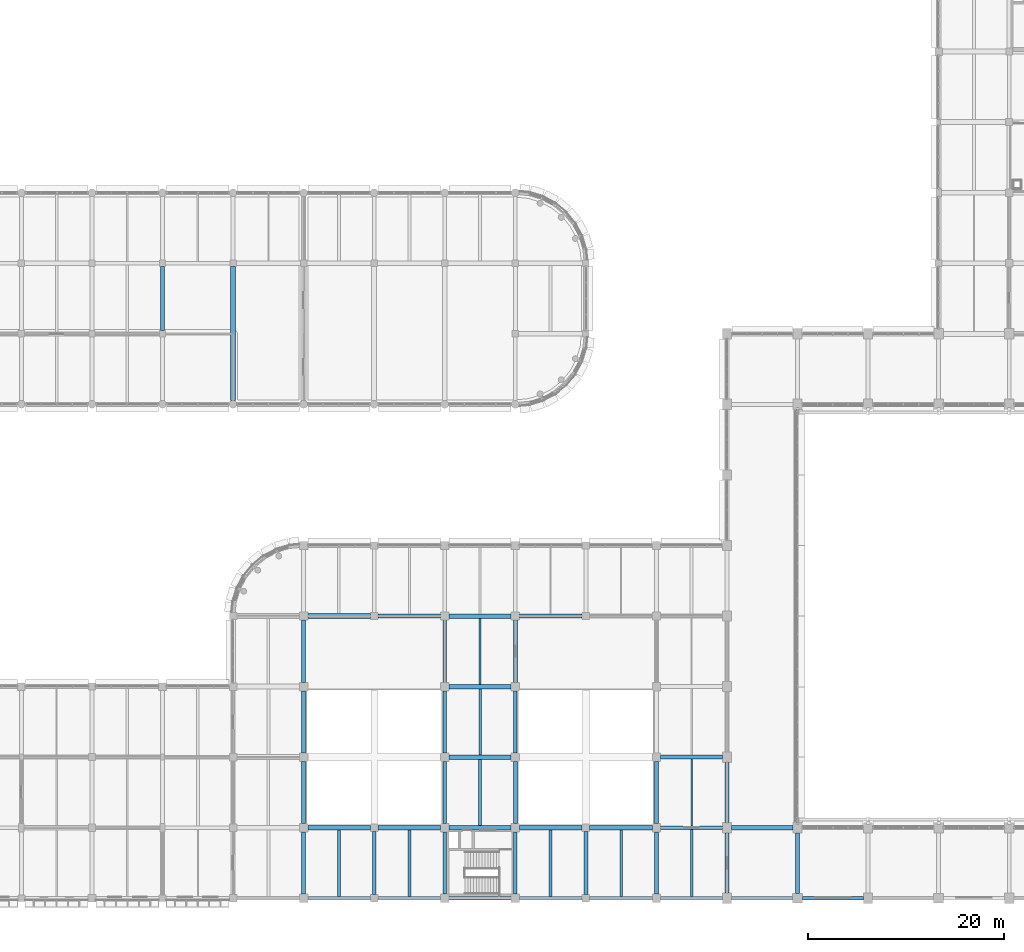
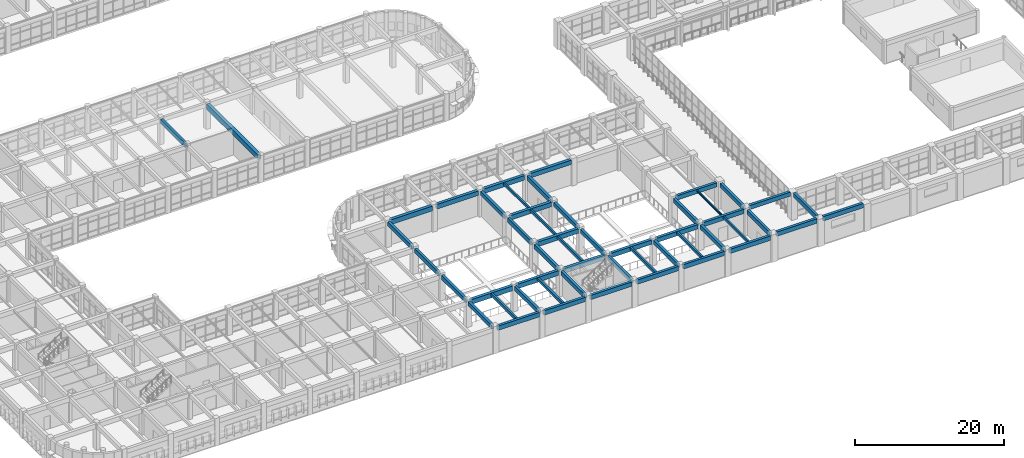
# One storey, part 30 of 171: 52 beams.
"""IFC4 building model written with IfcOpenShell, lengths in metres."""

import ifcopenshell
import ifcopenshell.guid

model = None  # the IFC model being written
_history = None  # IfcOwnerHistory: only IFC2X3 demands one
_inside = {}  # id of a spatial element -> (the spatial element, [elements in it])
_under = {}  # id of a project, library or spatial element -> (it, [spatial elements below it])
_declared = {}  # id of a project -> (the project, [libraries it declares])
_typed = {}  # id of a type object -> (the type object, [elements of that type])
_made_of = {}  # id of a material, layer set ... -> (it, [elements and type objects made of it])


def new_model(schema):
    """Start an empty IFC model of exactly this schema.

    Asked for "IFC4X3", IfcOpenShell would pick the latest addendum, in which some entities
    have other attributes; the version numbers below select the first issue.
    IFC2X3 requires an IfcOwnerHistory on every rooted entity: one is made here for all.
    """
    global model, _history
    if schema == "IFC4X3":
        model = ifcopenshell.file(schema_version=(4, 3, 0, 0))
    else:
        model = ifcopenshell.file(schema=schema)
    _inside.clear()
    _under.clear()
    _declared.clear()
    _typed.clear()
    _made_of.clear()
    _history = None
    if model.schema == "IFC2X3":
        org = make("IfcOrganization", Name="unknown")
        user = make(
            "IfcPersonAndOrganization",
            ThePerson=make("IfcPerson", FamilyName="unknown"),
            TheOrganization=org,
        )
        app = make(
            "IfcApplication",
            ApplicationDeveloper=org,
            Version="unknown",
            ApplicationFullName="unknown",
            ApplicationIdentifier="unknown",
        )
        _history = make(
            "IfcOwnerHistory",
            OwningUser=user,
            OwningApplication=app,
            ChangeAction="ADDED",
            CreationDate=0,
        )
    return model


def make(cls, **values):
    """One entity of the class cls with the attributes given. An attribute that is None is left unset."""
    return model.create_entity(
        cls, **{name: value for name, value in values.items() if value is not None}
    )


def rooted(cls, **values):
    """An entity with a GlobalId (a new one), such as an element, a storey or a relation."""
    return make(cls, GlobalId=ifcopenshell.guid.new(), OwnerHistory=_history, **values)


def si_unit(unit_type, name, prefix=None):
    """IfcSIUnit, for example si_unit("LENGTHUNIT", "METRE", prefix="MILLI")."""
    return make("IfcSIUnit", UnitType=unit_type, Prefix=prefix, Name=name)


def assignment(units):
    """IfcUnitAssignment: the units of a project."""
    return None if units is None else make("IfcUnitAssignment", Units=units)


def point(xyz):
    """IfcCartesianPoint."""
    return None if xyz is None else make("IfcCartesianPoint", Coordinates=xyz)


def direction(xyz):
    """IfcDirection."""
    return None if xyz is None else make("IfcDirection", DirectionRatios=xyz)


def frame(location, z_axis=None, x_axis=None):
    """IfcAxis2Placement3D, a coordinate frame: its origin and axes. An axis left out is left unset."""
    return make(
        "IfcAxis2Placement3D",
        Location=point(location),
        Axis=direction(z_axis),
        RefDirection=direction(x_axis),
    )


def frame_2d(location, x_axis=None):
    """IfcAxis2Placement2D, a coordinate frame in the plane: its origin and x axis."""
    return make(
        "IfcAxis2Placement2D", Location=point(location), RefDirection=direction(x_axis)
    )


def origin():
    """The frame at (0, 0, 0) with its axes left unset."""
    return frame((0.0, 0.0, 0.0))


def origin_2d():
    """The frame at (0, 0) in the plane with its x axis left unset."""
    return frame_2d((0.0, 0.0))


def place(relative_to, where):
    """IfcLocalPlacement: puts the frame where relative to a parent placement (None: the world)."""
    return make(
        "IfcLocalPlacement", PlacementRelTo=relative_to, RelativePlacement=where
    )


def context(
    kind, dimensions, precision=None, world=None, true_north=None, identifier=None
):
    """IfcGeometricRepresentationContext, for example the 3D "Model" context."""
    return make(
        "IfcGeometricRepresentationContext",
        ContextIdentifier=identifier,
        ContextType=kind,
        CoordinateSpaceDimension=dimensions,
        Precision=precision,
        WorldCoordinateSystem=world,
        TrueNorth=true_north,
    )


def subcontext(parent, identifier, kind, view, scale=None):
    """IfcGeometricRepresentationSubContext, for example "Body" below "Model"."""
    return make(
        "IfcGeometricRepresentationSubContext",
        ContextIdentifier=identifier,
        ContextType=kind,
        ParentContext=parent,
        TargetScale=scale,
        TargetView=view,
    )


def project(units=None, contexts=None):
    """IfcProject with its units and contexts."""
    return rooted(
        "IfcProject",
        Name="project",
        RepresentationContexts=contexts,
        UnitsInContext=assignment(units),
    )


def spatial(cls, under=None, at=None, **own):
    """A site, building, storey or space (cls), placed at a placement, below another one or the project."""
    s = rooted(cls, ObjectPlacement=at, **own)
    if under is not None:
        _under.setdefault(under.id(), (under, []))[1].append(s)
    return s


def profile(cls, at=None, kind="AREA", **sizes):
    """A parametric profile (cls). Its sizes go by their IFC names, for example OverallWidth=200.0."""
    return make(cls, ProfileType=kind, Position=at, **sizes)


def rectangle(**sizes):
    """IfcRectangleProfileDef."""
    return profile("IfcRectangleProfileDef", **sizes)


def i_section(**sizes):
    """IfcIShapeProfileDef."""
    return profile("IfcIShapeProfileDef", **sizes)


def extrude(swept, where, along, depth):
    """IfcExtrudedAreaSolid: the profile swept, set in the frame where, extruded along a direction by depth."""
    return make(
        "IfcExtrudedAreaSolid",
        SweptArea=swept,
        Position=where,
        ExtrudedDirection=direction(along),
        Depth=depth,
    )


def shape(context_of_items, identifier, shape_type, items):
    """IfcShapeRepresentation: the items that make up one representation, for example the "Body"."""
    return make(
        "IfcShapeRepresentation",
        ContextOfItems=context_of_items,
        RepresentationIdentifier=identifier,
        RepresentationType=shape_type,
        Items=items,
    )


def material(Name=None, Category=None):
    """IfcMaterial."""
    return make("IfcMaterial", Name=Name, Category=Category)


def material_profile(
    of_material, cross_section, Name=None, Category=None, Priority=None
):
    """IfcMaterialProfile: a cross section and its material."""
    return make(
        "IfcMaterialProfile",
        Name=Name,
        Material=of_material,
        Profile=cross_section,
        Priority=Priority,
        Category=Category,
    )


def profile_set(profiles, Name=None, composite=None):
    """IfcMaterialProfileSet."""
    return make(
        "IfcMaterialProfileSet",
        Name=Name,
        MaterialProfiles=profiles,
        CompositeProfile=composite,
    )


def made_of(thing, what):
    """Note that an element or type object is made of a material, layer set ...; save() writes the relation."""
    if what is not None:
        _made_of.setdefault(what.id(), (what, []))[1].append(thing)
    return thing


def type_object(cls, material=None, **own):
    """A type object (cls), such as IfcWallType, which elements share."""
    return made_of(rooted(cls, **own), material)


def element(
    cls,
    number,
    at=None,
    inside=None,
    cuts=None,
    type_object=None,
    material=None,
    context=None,
    identifier="Body",
    shape_type=None,
    held_by="IfcProductDefinitionShape",
    body=None,
    shapes=None,
    **own,
):
    """One element of the class cls, such as IfcWall. Its Tag is "e" and its number.

    at: its placement. inside: the storey or other place that contains it. cuts: it is an
    opening in that element (IfcRelVoidsElement). A single representation is given by context,
    identifier, shape_type and body (its items); several are given by shapes. held_by: the class
    of the entity that holds the representations. save() writes the other relations.
    """
    e = rooted(cls, Tag="e%d" % number, ObjectPlacement=at, **own)
    if body is not None:
        shapes = [shape(context, identifier, shape_type, body)]
    if shapes is not None:
        e.Representation = make(held_by, Representations=shapes)
    if inside is not None:
        _inside.setdefault(inside.id(), (inside, []))[1].append(e)
    if cuts is not None:
        rooted(
            "IfcRelVoidsElement", RelatingBuildingElement=cuts, RelatedOpeningElement=e
        )
    if type_object is not None:
        _typed.setdefault(type_object.id(), (type_object, []))[1].append(e)
    return made_of(e, material)


def aggregate(whole, parts):
    """IfcRelAggregates: a whole, such as a stair, and the parts it consists of."""
    return rooted("IfcRelAggregates", RelatingObject=whole, RelatedObjects=parts)


def save(model, path):
    """Write the relations noted so far, then the file.

    IfcRelAggregates (storeys below a building ...), IfcRelContainedInSpatialStructure (elements
    in a storey), IfcRelDefinesByType, IfcRelAssociatesMaterial and IfcRelDeclares: one each for
    every whole, place, type object, material and project.
    """
    for whole, parts in _under.values():
        aggregate(whole, parts)
    for where, things in _inside.values():
        rooted(
            "IfcRelContainedInSpatialStructure",
            RelatedElements=things,
            RelatingStructure=where,
        )
    for kind, things in _typed.values():
        rooted("IfcRelDefinesByType", RelatedObjects=things, RelatingType=kind)
    for what, things in _made_of.values():
        rooted("IfcRelAssociatesMaterial", RelatedObjects=things, RelatingMaterial=what)
    for by, libraries in _declared.values():
        rooted("IfcRelDeclares", RelatingContext=by, RelatedDefinitions=libraries)
    model.write(path)


model = new_model("IFC4")

# Units and contexts
model_context = context("Model", 3, precision=1e-05, world=origin(), true_north=direction((0.0, 1.0)))
body_context = subcontext(model_context, "Body", "Model", "MODEL_VIEW")
ifc_project = project(units=[si_unit("LENGTHUNIT", "METRE"), si_unit("AREAUNIT", "SQUARE_METRE"), si_unit("VOLUMEUNIT", "CUBIC_METRE"), si_unit("PLANEANGLEUNIT", "RADIAN"), si_unit("MASSUNIT", "GRAM", prefix="KILO")], contexts=[model_context])

# Site, building, storey
site_placement = place(None, origin())
site = spatial("IfcSite", under=ifc_project, at=site_placement, CompositionType="ELEMENT")
building_placement = place(site_placement, origin())
building = spatial("IfcBuilding", under=site, at=building_placement, Name="Thalmaran Polytechnic", CompositionType="ELEMENT")
storey_placement = place(building_placement, frame((0.0, 0.0, 5.39990234375)))
storey = spatial("IfcBuildingStorey", under=building, at=storey_placement, Name="L01", CompositionType="ELEMENT", Elevation=5.39990234375)

# Beams
ifc_material_1 = material(Name="Concrete C40/50", Category="concrete")
ifc_material_profile_1 = material_profile(ifc_material_1, rectangle(XDim=0.5, YDim=0.85009765625, at=origin_2d()), Name="RC 500x850")
ifc_profile_set_1 = profile_set([ifc_material_profile_1], Name="Concrete C40/50")
beam_type_1 = type_object("IfcBeamType", Name="BM-RC01", PredefinedType="BEAM", material=ifc_profile_set_1)
beam_1_placement = place(storey_placement, frame((57.60009765625, 50.800048828125, 3.76513671875), z_axis=(0.0, 1.0, 0.0), x_axis=(-1.0, 0.0, 0.0)))
element("IfcBeam", 1, at=beam_1_placement, inside=storey, type_object=beam_type_1, Name="Refectory Clear-Span Girder G08", PredefinedType="BEAM", context=body_context, shape_type="SweptSolid", body=[
    extrude(rectangle(XDim=0.5, YDim=0.85009765625, at=origin_2d()), origin(), (0.0, 0.0, 1.0), 13.675048828125),
])
ifc_material_profile_2 = material_profile(ifc_material_1, rectangle(XDim=0.449951171875, YDim=0.75, at=origin_2d()), Name="RC 450x750")
ifc_profile_set_2 = profile_set([ifc_material_profile_2], Name="Concrete C40/50")
beam_type_2 = type_object("IfcBeamType", Name="BM-RC03", PredefinedType="BEAM", material=ifc_profile_set_2)
for number, where, z_axis, x_axis, name in (
    (2, (72.375, 7.199951171875, 3.835205078125), (1.0, 0.0, 0.0), (0.0, 1.0, 0.0), "Grid Beam B03 L01 X(10,1)"),
    (3, (72.375, 28.800048828125, 3.835205078125), (1.0, 0.0, 0.0), (0.0, 1.0, 0.0), "Grid Beam B03 L01 X(10,4)"),
):
    element("IfcBeam", number, at=place(storey_placement, frame(where, z_axis=z_axis, x_axis=x_axis)), inside=storey, type_object=beam_type_2, Name=name, PredefinedType="BEAM", context=body_context, shape_type="SweptSolid", body=[
        extrude(rectangle(XDim=0.449951171875, YDim=0.75, at=origin_2d()), origin(), (0.0, 0.0, 1.0), 6.39990234375),
    ])
ifc_material_profile_3 = material_profile(ifc_material_1, rectangle(XDim=0.449951171875, YDim=0.72509765625, at=origin_2d()), Name="RC 450x725")
ifc_profile_set_3 = profile_set([ifc_material_profile_3], Name="Concrete C40/50")
beam_type_3 = type_object("IfcBeamType", Name="BM-RC04", PredefinedType="BEAM", material=ifc_profile_set_3)
for number, where, z_axis, x_axis, name in (
    (4, (86.824951171875, 7.199951171875, 3.84765625), (1.0, 0.0, 0.0), (0.0, 1.0, 0.0), "Grid Beam B04 L01 X(12,1)"),
    (5, (86.824951171875, 28.800048828125, 3.84765625), (1.0, 0.0, 0.0), (0.0, 1.0, 0.0), "Grid Beam B04 L01 X(12,4)"),
):
    element("IfcBeam", number, at=place(storey_placement, frame(where, z_axis=z_axis, x_axis=x_axis)), inside=storey, type_object=beam_type_3, Name=name, PredefinedType="BEAM", context=body_context, shape_type="SweptSolid", body=[
        extrude(rectangle(XDim=0.449951171875, YDim=0.72509765625, at=origin_2d()), origin(), (0.0, 0.0, 1.0), 6.400146484375),
    ])
ifc_material_profile_4 = material_profile(ifc_material_1, rectangle(XDim=0.39990234375, YDim=0.699951171875, at=origin_2d()), Name="RC 400x700")
ifc_profile_set_4 = profile_set([ifc_material_profile_4], Name="Concrete C40/50")
beam_type_4 = type_object("IfcBeamType", Name="BM-RC05", PredefinedType="BEAM", material=ifc_profile_set_4)
for number, where, z_axis, x_axis, name in (
    (6, (101.22509765625, 7.199951171875, 3.860107421875), (1.0, 0.0, 0.0), (0.0, 1.0, 0.0), "Grid Beam B05 L01 X(14,1)"),
    (7, (101.22509765625, 14.39990234375, 3.860107421875), (1.0, 0.0, 0.0), (0.0, 1.0, 0.0), "Grid Beam B05 L01 X(14,2)"),
):
    element("IfcBeam", number, at=place(storey_placement, frame(where, z_axis=z_axis, x_axis=x_axis)), inside=storey, type_object=beam_type_4, Name=name, PredefinedType="BEAM", context=body_context, shape_type="SweptSolid", body=[
        extrude(rectangle(XDim=0.39990234375, YDim=0.699951171875, at=origin_2d()), origin(), (0.0, 0.0, 1.0), 6.2998046875),
    ])
ifc_material_profile_5 = material_profile(ifc_material_1, rectangle(XDim=0.389892578125, YDim=0.68505859375, at=origin_2d()), Name="RC 390x685")
ifc_profile_set_5 = profile_set([ifc_material_profile_5], Name="Concrete C40/50")
beam_type_5 = type_object("IfcBeamType", Name="BM-RC08", PredefinedType="BEAM", material=ifc_profile_set_5)
beam_2_placement = place(storey_placement, frame((64.800048828125, 0.425048828125, 3.86767578125), z_axis=(0.0, 1.0, 0.0), x_axis=(-1.0, 0.0, 0.0)))
element("IfcBeam", 8, at=beam_2_placement, inside=storey, type_object=beam_type_5, Name="Grid Beam B08 L01 Y(9,0)", PredefinedType="BEAM", context=body_context, shape_type="SweptSolid", body=[
    extrude(rectangle(XDim=0.389892578125, YDim=0.68505859375, at=origin_2d()), origin(), (0.0, 0.0, 1.0), 6.349853515625),
])
beam_3_placement = place(storey_placement, frame((72.0, 0.375, 3.86767578125), z_axis=(0.0, 1.0, 0.0), x_axis=(-1.0, 0.0, 0.0)))
element("IfcBeam", 9, at=beam_3_placement, inside=storey, type_object=beam_type_5, Name="Grid Beam B08 L01 Y(10,0)", PredefinedType="BEAM", context=body_context, shape_type="SweptSolid", body=[
    extrude(rectangle(XDim=0.389892578125, YDim=0.68505859375, at=origin_2d()), origin(), (0.0, 0.0, 1.0), 6.449951171875),
])
for number, where, z_axis, x_axis, name in (
    (10, (79.199951171875, 0.425048828125, 3.86767578125), (0.0, 1.0, 0.0), (-1.0, 0.0, 0.0), "Grid Beam B08 L01 Y(11,0)"),
    (11, (86.39990234375, 0.425048828125, 3.86767578125), (0.0, 1.0, 0.0), (-1.0, 0.0, 0.0), "Grid Beam B08 L01 Y(12,0)"),
):
    element("IfcBeam", number, at=place(storey_placement, frame(where, z_axis=z_axis, x_axis=x_axis)), inside=storey, type_object=beam_type_5, Name=name, PredefinedType="BEAM", context=body_context, shape_type="SweptSolid", body=[
        extrude(rectangle(XDim=0.389892578125, YDim=0.68505859375, at=origin_2d()), origin(), (0.0, 0.0, 1.0), 6.349853515625),
    ])
beam_4_placement = place(storey_placement, frame((93.60009765625, 0.375, 3.86767578125), z_axis=(0.0, 1.0, 0.0), x_axis=(-1.0, 0.0, 0.0)))
element("IfcBeam", 12, at=beam_4_placement, inside=storey, type_object=beam_type_5, Name="Grid Beam B08 L01 Y(13,0)", PredefinedType="BEAM", context=body_context, shape_type="SweptSolid", body=[
    extrude(rectangle(XDim=0.389892578125, YDim=0.68505859375, at=origin_2d()), origin(), (0.0, 0.0, 1.0), 6.449951171875),
])
beam_5_placement = place(storey_placement, frame((100.800048828125, 0.425048828125, 3.86767578125), z_axis=(0.0, 1.0, 0.0), x_axis=(-1.0, 0.0, 0.0)))
element("IfcBeam", 13, at=beam_5_placement, inside=storey, type_object=beam_type_5, Name="Grid Beam B08 L01 Y(14,0)", PredefinedType="BEAM", context=body_context, shape_type="SweptSolid", body=[
    extrude(rectangle(XDim=0.389892578125, YDim=0.68505859375, at=origin_2d()), origin(), (0.0, 0.0, 1.0), 6.349853515625),
])
beam_6_placement = place(storey_placement, frame((108.0, 0.52490234375, 3.86767578125), z_axis=(0.0, 1.0, 0.0), x_axis=(-1.0, 0.0, 0.0)))
element("IfcBeam", 14, at=beam_6_placement, inside=storey, type_object=beam_type_5, Name="Grid Beam B08 L01 Y(15,0)", PredefinedType="BEAM", context=body_context, shape_type="SweptSolid", body=[
    extrude(rectangle(XDim=0.389892578125, YDim=0.68505859375, at=origin_2d()), origin(), (0.0, 0.0, 1.0), 6.150146484375),
])
beam_7_placement = place(storey_placement, frame((115.199951171875, 0.5, 4.15771484375), z_axis=(0.0, 1.0, 0.0), x_axis=(-1.0, 0.0, 0.0)))
element("IfcBeam", 15, at=beam_7_placement, inside=storey, type_object=beam_type_5, Name="Grid Beam B08 L01 Y(16,0)", PredefinedType="BEAM", context=body_context, shape_type="SweptSolid", body=[
    extrude(rectangle(XDim=0.389892578125, YDim=0.68505859375, at=origin_2d()), origin(), (0.0, 0.0, 1.0), 6.175048828125),
])
ifc_material_profile_6 = material_profile(ifc_material_1, rectangle(XDim=0.389892578125, YDim=0.68994140625, at=origin_2d()), Name="RC 390x690")
ifc_profile_set_6 = profile_set([ifc_material_profile_6], Name="Concrete C40/50")
beam_type_6 = type_object("IfcBeamType", Name="BM-RC09", PredefinedType="BEAM", material=ifc_profile_set_6)
for number, where, z_axis, x_axis, name in (
    (16, (64.800048828125, 14.824951171875, 3.864990234375), (0.0, 1.0, 0.0), (-1.0, 0.0, 0.0), "Grid Beam B09 L01 Y(9,2)"),
    (17, (79.199951171875, 14.824951171875, 3.864990234375), (0.0, 1.0, 0.0), (-1.0, 0.0, 0.0), "Grid Beam B09 L01 Y(11,2)"),
    (18, (86.39990234375, 14.824951171875, 3.864990234375), (0.0, 1.0, 0.0), (-1.0, 0.0, 0.0), "Grid Beam B09 L01 Y(12,2)"),
):
    element("IfcBeam", number, at=place(storey_placement, frame(where, z_axis=z_axis, x_axis=x_axis)), inside=storey, type_object=beam_type_6, Name=name, PredefinedType="BEAM", context=body_context, shape_type="SweptSolid", body=[
        extrude(rectangle(XDim=0.389892578125, YDim=0.68994140625, at=origin_2d()), origin(), (0.0, 0.0, 1.0), 6.35009765625),
    ])
ifc_material_profile_7 = material_profile(ifc_material_1, rectangle(XDim=0.300048828125, YDim=0.449951171875, at=origin_2d()), Name="RC 300x450")
ifc_profile_set_7 = profile_set([ifc_material_profile_7], Name="Concrete C40/50")
beam_type_7 = type_object("IfcBeamType", Name="BM-RC12", PredefinedType="JOIST", material=ifc_profile_set_7)
beam_8_placement = place(storey_placement, frame((75.60009765625, 0.199951171875, 3.985107421875), z_axis=(0.0, 1.0, 0.0), x_axis=(-1.0, 0.0, 0.0)))
element("IfcBeam", 19, at=beam_8_placement, inside=storey, type_object=beam_type_7, Name="Secondary Floor Rib RB02 L01 (10,0)", PredefinedType="JOIST", context=body_context, shape_type="SweptSolid", body=[
    extrude(rectangle(XDim=0.300048828125, YDim=0.449951171875, at=origin_2d()), origin(), (0.0, 0.0, 1.0), 6.775146484375),
])
ifc_material_profile_8 = material_profile(ifc_material_1, rectangle(XDim=0.280029296875, YDim=0.449951171875, at=origin_2d()), Name="RC 280x450")
ifc_profile_set_8 = profile_set([ifc_material_profile_8], Name="Concrete C40/50")
beam_type_8 = type_object("IfcBeamType", Name="BM-RC13", PredefinedType="JOIST", material=ifc_profile_set_8)
beam_9_placement = place(storey_placement, frame((82.800048828125, 7.429931640625, 3.985107421875), z_axis=(0.0, 1.0, 0.0), x_axis=(-1.0, 0.0, 0.0)))
element("IfcBeam", 20, at=beam_9_placement, inside=storey, type_object=beam_type_8, Name="Secondary Floor Rib RB03 L01 (11,1)", PredefinedType="JOIST", context=body_context, shape_type="SweptSolid", body=[
    extrude(rectangle(XDim=0.280029296875, YDim=0.449951171875, at=origin_2d()), origin(), (0.0, 0.0, 1.0), 6.739990234375),
])
beam_10_placement = place(storey_placement, frame((90.0, 0.199951171875, 3.985107421875), z_axis=(0.0, 1.0, 0.0), x_axis=(-1.0, 0.0, 0.0)))
element("IfcBeam", 21, at=beam_10_placement, inside=storey, type_object=beam_type_8, Name="Secondary Floor Rib RB03 L01 (12,0)", PredefinedType="JOIST", context=body_context, shape_type="SweptSolid", body=[
    extrude(rectangle(XDim=0.280029296875, YDim=0.449951171875, at=origin_2d()), origin(), (0.0, 0.0, 1.0), 6.775146484375),
])
ifc_material_2 = material(Name="Steel S355", Category="steel")
ifc_material_profile_9 = material_profile(ifc_material_2, i_section(OverallWidth=0.159912109375, OverallDepth=0.330078125, WebThickness=0.007568359375, FlangeThickness=0.011474609375, at=origin_2d()), Name="IPE 330")
ifc_profile_set_9 = profile_set([ifc_material_profile_9], Name="Steel S355")
beam_type_9 = type_object("IfcBeamType", Name="BM-SJ02", PredefinedType="JOIST", material=ifc_profile_set_9)
beam_11_placement = place(storey_placement, frame((104.39990234375, 7.39990234375, 4.045166015625), z_axis=(0.0, 1.0, 0.0), x_axis=(-1.0, 0.0, 0.0)))
element("IfcBeam", 22, at=beam_11_placement, inside=storey, type_object=beam_type_9, Name="Secondary Floor Rib SJ02 L01 (14,1)", PredefinedType="JOIST", context=body_context, shape_type="SweptSolid", body=[
    extrude(i_section(OverallWidth=0.159912109375, OverallDepth=0.330078125, WebThickness=0.007568359375, FlangeThickness=0.011474609375, at=origin_2d()), origin(), (0.0, 0.0, 1.0), 6.800048828125),
])
ifc_material_profile_10 = material_profile(ifc_material_1, rectangle(XDim=0.39990234375, YDim=0.719970703125, at=origin_2d()), Name="RC 400x720")
ifc_profile_set_10 = profile_set([ifc_material_profile_10], Name="Concrete C40/50")
beam_type_10 = type_object("IfcBeamType", Name="BM-SP01", PredefinedType="SPANDREL", material=ifc_profile_set_10)
for number, where, z_axis, x_axis, name in (
    (23, (65.22509765625, 0.0, 3.85009765625), (1.0, 0.0, 0.0), (0.0, 1.0, 0.0), "Grid Beam SP01 L01 X(9,0)"),
    (24, (72.375, 0.0, 3.85009765625), (1.0, 0.0, 0.0), (0.0, 1.0, 0.0), "Grid Beam SP01 L01 X(10,0)"),
):
    element("IfcBeam", number, at=place(storey_placement, frame(where, z_axis=z_axis, x_axis=x_axis)), inside=storey, type_object=beam_type_10, Name=name, PredefinedType="SPANDREL", context=body_context, shape_type="SweptSolid", body=[
        extrude(rectangle(XDim=0.39990234375, YDim=0.719970703125, at=origin_2d()), origin(), (0.0, 0.0, 1.0), 6.39990234375),
    ])
beam_12_placement = place(storey_placement, frame((79.625, 0.0, 3.85009765625), z_axis=(1.0, 0.0, 0.0), x_axis=(0.0, 1.0, 0.0)))
element("IfcBeam", 25, at=beam_12_placement, inside=storey, type_object=beam_type_10, Name="Grid Beam SP01 L01 X(11,0)", PredefinedType="SPANDREL", context=body_context, shape_type="SweptSolid", body=[
    extrude(rectangle(XDim=0.39990234375, YDim=0.719970703125, at=origin_2d()), origin(), (0.0, 0.0, 1.0), 6.35009765625),
])
beam_13_placement = place(storey_placement, frame((86.824951171875, 0.0, 3.85009765625), z_axis=(1.0, 0.0, 0.0), x_axis=(0.0, 1.0, 0.0)))
element("IfcBeam", 26, at=beam_13_placement, inside=storey, type_object=beam_type_10, Name="Grid Beam SP01 L01 X(12,0)", PredefinedType="SPANDREL", context=body_context, shape_type="SweptSolid", body=[
    extrude(rectangle(XDim=0.39990234375, YDim=0.719970703125, at=origin_2d()), origin(), (0.0, 0.0, 1.0), 6.400146484375),
])
beam_14_placement = place(storey_placement, frame((93.97509765625, 0.0, 3.85009765625), z_axis=(1.0, 0.0, 0.0), x_axis=(0.0, 1.0, 0.0)))
element("IfcBeam", 27, at=beam_14_placement, inside=storey, type_object=beam_type_10, Name="Grid Beam SP01 L01 X(13,0)", PredefinedType="SPANDREL", context=body_context, shape_type="SweptSolid", body=[
    extrude(rectangle(XDim=0.39990234375, YDim=0.719970703125, at=origin_2d()), origin(), (0.0, 0.0, 1.0), 6.39990234375),
])
beam_15_placement = place(storey_placement, frame((101.22509765625, 0.0, 3.85009765625), z_axis=(1.0, 0.0, 0.0), x_axis=(0.0, 1.0, 0.0)))
element("IfcBeam", 28, at=beam_15_placement, inside=storey, type_object=beam_type_10, Name="Grid Beam SP01 L01 X(14,0)", PredefinedType="SPANDREL", context=body_context, shape_type="SweptSolid", body=[
    extrude(rectangle(XDim=0.39990234375, YDim=0.719970703125, at=origin_2d()), origin(), (0.0, 0.0, 1.0), 6.2998046875),
])
beam_16_placement = place(storey_placement, frame((108.47509765625, 0.0, 4.14013671875), z_axis=(1.0, 0.0, 0.0), x_axis=(0.0, 1.0, 0.0)))
element("IfcBeam", 29, at=beam_16_placement, inside=storey, type_object=beam_type_10, Name="Grid Beam SP01 L01 X(15,0)", PredefinedType="SPANDREL", context=body_context, shape_type="SweptSolid", body=[
    extrude(rectangle(XDim=0.39990234375, YDim=0.719970703125, at=origin_2d()), origin(), (0.0, 0.0, 1.0), 6.224853515625),
])
beam_17_placement = place(storey_placement, frame((115.699951171875, 0.0, 4.14013671875), z_axis=(1.0, 0.0, 0.0), x_axis=(0.0, 1.0, 0.0)))
element("IfcBeam", 30, at=beam_17_placement, inside=storey, type_object=beam_type_10, Name="Grid Beam SP01 L01 X(16,0)", PredefinedType="SPANDREL", context=body_context, shape_type="SweptSolid", body=[
    extrude(rectangle(XDim=0.39990234375, YDim=0.719970703125, at=origin_2d()), origin(), (0.0, 0.0, 1.0), 6.22509765625),
])
ifc_material_profile_11 = material_profile(ifc_material_1, rectangle(XDim=0.47998046875, YDim=0.780029296875, at=origin_2d()), Name="RC 480x780")
ifc_profile_set_11 = profile_set([ifc_material_profile_11], Name="Concrete C40/50")
beam_type_11 = type_object("IfcBeamType", Name="BM-ZB01", PredefinedType="BEAM", material=ifc_profile_set_11)
for number, where, z_axis, x_axis, name in (
    (31, (65.22509765625, 7.199951171875, 3.820068359375), (1.0, 0.0, 0.0), (0.0, 1.0, 0.0), "Grid Beam ZB01 L01 X(9,1)"),
    (32, (65.22509765625, 28.800048828125, 3.820068359375), (1.0, 0.0, 0.0), (0.0, 1.0, 0.0), "Grid Beam ZB01 L01 X(9,4)"),
):
    element("IfcBeam", number, at=place(storey_placement, frame(where, z_axis=z_axis, x_axis=x_axis)), inside=storey, type_object=beam_type_11, Name=name, PredefinedType="BEAM", context=body_context, shape_type="SweptSolid", body=[
        extrude(rectangle(XDim=0.47998046875, YDim=0.780029296875, at=origin_2d()), origin(), (0.0, 0.0, 1.0), 6.39990234375),
    ])
ifc_material_profile_12 = material_profile(ifc_material_1, rectangle(XDim=0.4599609375, YDim=0.739990234375, at=origin_2d()), Name="RC 460x740")
ifc_profile_set_12 = profile_set([ifc_material_profile_12], Name="Concrete C40/50")
beam_type_12 = type_object("IfcBeamType", Name="BM-ZB02", PredefinedType="BEAM", material=ifc_profile_set_12)
for number, where, z_axis, x_axis, name in (
    (33, (79.625, 7.199951171875, 3.840087890625), (1.0, 0.0, 0.0), (0.0, 1.0, 0.0), "Grid Beam ZB02 L01 X(11,1)"),
    (34, (79.625, 14.39990234375, 3.840087890625), (1.0, 0.0, 0.0), (0.0, 1.0, 0.0), "Grid Beam ZB02 L01 X(11,2)"),
    (35, (79.625, 21.60009765625, 3.840087890625), (1.0, 0.0, 0.0), (0.0, 1.0, 0.0), "Grid Beam ZB02 L01 X(11,3)"),
    (36, (79.625, 28.800048828125, 3.840087890625), (1.0, 0.0, 0.0), (0.0, 1.0, 0.0), "Grid Beam ZB02 L01 X(11,4)"),
):
    element("IfcBeam", number, at=place(storey_placement, frame(where, z_axis=z_axis, x_axis=x_axis)), inside=storey, type_object=beam_type_12, Name=name, PredefinedType="BEAM", context=body_context, shape_type="SweptSolid", body=[
        extrude(rectangle(XDim=0.4599609375, YDim=0.739990234375, at=origin_2d()), origin(), (0.0, 0.0, 1.0), 6.35009765625),
    ])
ifc_material_profile_13 = material_profile(ifc_material_1, rectangle(XDim=0.43994140625, YDim=0.719970703125, at=origin_2d()), Name="RC 440x720")
ifc_profile_set_13 = profile_set([ifc_material_profile_13], Name="Concrete C40/50")
beam_type_13 = type_object("IfcBeamType", Name="BM-ZB03", PredefinedType="BEAM", material=ifc_profile_set_13)
beam_18_placement = place(storey_placement, frame((93.97509765625, 7.199951171875, 3.85009765625), z_axis=(1.0, 0.0, 0.0), x_axis=(0.0, 1.0, 0.0)))
element("IfcBeam", 37, at=beam_18_placement, inside=storey, type_object=beam_type_13, Name="Grid Beam ZB03 L01 X(13,1)", PredefinedType="BEAM", context=body_context, shape_type="SweptSolid", body=[
    extrude(rectangle(XDim=0.43994140625, YDim=0.719970703125, at=origin_2d()), origin(), (0.0, 0.0, 1.0), 6.39990234375),
])
ifc_material_profile_14 = material_profile(ifc_material_1, rectangle(XDim=0.419921875, YDim=0.659912109375, at=origin_2d()), Name="RC 420x660")
ifc_profile_set_14 = profile_set([ifc_material_profile_14], Name="Concrete C40/50")
beam_type_14 = type_object("IfcBeamType", Name="BM-ZB04", PredefinedType="BEAM", material=ifc_profile_set_14)
beam_19_placement = place(storey_placement, frame((108.47509765625, 7.199951171875, 4.170166015625), z_axis=(1.0, 0.0, 0.0), x_axis=(0.0, 1.0, 0.0)))
element("IfcBeam", 38, at=beam_19_placement, inside=storey, type_object=beam_type_14, Name="Grid Beam ZB04 L01 X(15,1)", PredefinedType="BEAM", context=body_context, shape_type="SweptSolid", body=[
    extrude(rectangle(XDim=0.419921875, YDim=0.659912109375, at=origin_2d()), origin(), (0.0, 0.0, 1.0), 6.25),
])
ifc_material_profile_15 = material_profile(ifc_material_1, rectangle(XDim=0.39990234375, YDim=0.68505859375, at=origin_2d()), Name="RC 400x685")
ifc_profile_set_15 = profile_set([ifc_material_profile_15], Name="Concrete C40/50")
beam_type_15 = type_object("IfcBeamType", Name="BM-ZB07", PredefinedType="BEAM", material=ifc_profile_set_15)
beam_20_placement = place(storey_placement, frame((50.39990234375, 57.925048828125, 3.86767578125), z_axis=(0.0, 1.0, 0.0), x_axis=(-1.0, 0.0, 0.0)))
element("IfcBeam", 39, at=beam_20_placement, inside=storey, type_object=beam_type_15, Name="Grid Beam ZB07 L01 Y(7,8)", PredefinedType="BEAM", context=body_context, shape_type="SweptSolid", body=[
    extrude(rectangle(XDim=0.39990234375, YDim=0.68505859375, at=origin_2d()), origin(), (0.0, 0.0, 1.0), 6.550048828125),
])
for number, where, z_axis, x_axis, name in (
    (40, (64.800048828125, 7.625, 3.86767578125), (0.0, 1.0, 0.0), (-1.0, 0.0, 0.0), "Grid Beam ZB07 L01 Y(9,1)"),
    (41, (79.199951171875, 7.625, 3.86767578125), (0.0, 1.0, 0.0), (-1.0, 0.0, 0.0), "Grid Beam ZB07 L01 Y(11,1)"),
    (42, (86.39990234375, 7.625, 3.86767578125), (0.0, 1.0, 0.0), (-1.0, 0.0, 0.0), "Grid Beam ZB07 L01 Y(12,1)"),
    (43, (100.800048828125, 7.625, 3.86767578125), (0.0, 1.0, 0.0), (-1.0, 0.0, 0.0), "Grid Beam ZB07 L01 Y(14,1)"),
):
    element("IfcBeam", number, at=place(storey_placement, frame(where, z_axis=z_axis, x_axis=x_axis)), inside=storey, type_object=beam_type_15, Name=name, PredefinedType="BEAM", context=body_context, shape_type="SweptSolid", body=[
        extrude(rectangle(XDim=0.39990234375, YDim=0.68505859375, at=origin_2d()), origin(), (0.0, 0.0, 1.0), 6.35009765625),
    ])
beam_21_placement = place(storey_placement, frame((108.0, 7.72509765625, 3.86767578125), z_axis=(0.0, 1.0, 0.0), x_axis=(-1.0, 0.0, 0.0)))
element("IfcBeam", 44, at=beam_21_placement, inside=storey, type_object=beam_type_15, Name="Grid Beam ZB07 L01 Y(15,1)", PredefinedType="BEAM", context=body_context, shape_type="SweptSolid", body=[
    extrude(rectangle(XDim=0.39990234375, YDim=0.68505859375, at=origin_2d()), origin(), (0.0, 0.0, 1.0), 6.14990234375),
])
ifc_material_profile_16 = material_profile(ifc_material_1, rectangle(XDim=0.39990234375, YDim=0.695068359375, at=origin_2d()), Name="RC 400x695")
ifc_profile_set_16 = profile_set([ifc_material_profile_16], Name="Concrete C40/50")
beam_type_16 = type_object("IfcBeamType", Name="BM-ZB08", PredefinedType="BEAM", material=ifc_profile_set_16)
for number, where, z_axis, x_axis, name in (
    (45, (64.800048828125, 22.02490234375, 3.862548828125), (0.0, 1.0, 0.0), (-1.0, 0.0, 0.0), "Grid Beam ZB08 L01 Y(9,3)"),
    (46, (79.199951171875, 22.02490234375, 3.862548828125), (0.0, 1.0, 0.0), (-1.0, 0.0, 0.0), "Grid Beam ZB08 L01 Y(11,3)"),
    (47, (86.39990234375, 22.02490234375, 3.862548828125), (0.0, 1.0, 0.0), (-1.0, 0.0, 0.0), "Grid Beam ZB08 L01 Y(12,3)"),
):
    element("IfcBeam", number, at=place(storey_placement, frame(where, z_axis=z_axis, x_axis=x_axis)), inside=storey, type_object=beam_type_16, Name=name, PredefinedType="BEAM", context=body_context, shape_type="SweptSolid", body=[
        extrude(rectangle(XDim=0.39990234375, YDim=0.695068359375, at=origin_2d()), origin(), (0.0, 0.0, 1.0), 6.35009765625),
    ])
ifc_material_profile_17 = material_profile(ifc_material_1, rectangle(XDim=0.280029296875, YDim=0.47998046875, at=origin_2d()), Name="RC 280x480")
ifc_profile_set_17 = profile_set([ifc_material_profile_17], Name="Concrete C40/50")
beam_type_17 = type_object("IfcBeamType", Name="BM-ZJ01", PredefinedType="JOIST", material=ifc_profile_set_17)
beam_22_placement = place(storey_placement, frame((68.39990234375, 0.199951171875, 3.97021484375), z_axis=(0.0, 1.0, 0.0), x_axis=(-1.0, 0.0, 0.0)))
element("IfcBeam", 48, at=beam_22_placement, inside=storey, type_object=beam_type_17, Name="Secondary Floor Rib ZJ01 L01 (9,0)", PredefinedType="JOIST", context=body_context, shape_type="SweptSolid", body=[
    extrude(rectangle(XDim=0.280029296875, YDim=0.47998046875, at=origin_2d()), origin(), (0.0, 0.0, 1.0), 6.760009765625),
])
ifc_material_profile_18 = material_profile(ifc_material_1, rectangle(XDim=0.25, YDim=0.419921875, at=origin_2d()), Name="RC 250x420")
ifc_profile_set_18 = profile_set([ifc_material_profile_18], Name="Concrete C40/50")
beam_type_18 = type_object("IfcBeamType", Name="BM-ZJ03", PredefinedType="JOIST", material=ifc_profile_set_18)
beam_23_placement = place(storey_placement, frame((82.800048828125, 14.6298828125, 4.0), z_axis=(0.0, 1.0, 0.0), x_axis=(-1.0, 0.0, 0.0)))
element("IfcBeam", 49, at=beam_23_placement, inside=storey, type_object=beam_type_18, Name="Secondary Floor Rib ZJ03 L01 (11,2)", PredefinedType="JOIST", context=body_context, shape_type="SweptSolid", body=[
    extrude(rectangle(XDim=0.25, YDim=0.419921875, at=origin_2d()), origin(), (0.0, 0.0, 1.0), 6.740234375),
])
beam_24_placement = place(storey_placement, frame((97.199951171875, 0.199951171875, 4.0), z_axis=(0.0, 1.0, 0.0), x_axis=(-1.0, 0.0, 0.0)))
element("IfcBeam", 50, at=beam_24_placement, inside=storey, type_object=beam_type_18, Name="Secondary Floor Rib ZJ03 L01 (13,0)", PredefinedType="JOIST", context=body_context, shape_type="SweptSolid", body=[
    extrude(rectangle(XDim=0.25, YDim=0.419921875, at=origin_2d()), origin(), (0.0, 0.0, 1.0), 6.780029296875),
])
ifc_material_profile_19 = material_profile(ifc_material_1, rectangle(XDim=0.239990234375, YDim=0.39990234375, at=origin_2d()), Name="RC 240x400")
ifc_profile_set_19 = profile_set([ifc_material_profile_19], Name="Concrete C40/50")
beam_type_19 = type_object("IfcBeamType", Name="BM-ZJ04", PredefinedType="JOIST", material=ifc_profile_set_19)
beam_25_placement = place(storey_placement, frame((82.800048828125, 21.830078125, 4.010009765625), z_axis=(0.0, 1.0, 0.0), x_axis=(-1.0, 0.0, 0.0)))
element("IfcBeam", 51, at=beam_25_placement, inside=storey, type_object=beam_type_19, Name="Secondary Floor Rib ZJ04 L01 (11,3)", PredefinedType="JOIST", context=body_context, shape_type="SweptSolid", body=[
    extrude(rectangle(XDim=0.239990234375, YDim=0.39990234375, at=origin_2d()), origin(), (0.0, 0.0, 1.0), 6.739990234375),
])
beam_26_placement = place(storey_placement, frame((104.39990234375, 0.199951171875, 4.010009765625), z_axis=(0.0, 1.0, 0.0), x_axis=(-1.0, 0.0, 0.0)))
element("IfcBeam", 52, at=beam_26_placement, inside=storey, type_object=beam_type_19, Name="Secondary Floor Rib ZJ04 L01 (14,0)", PredefinedType="JOIST", context=body_context, shape_type="SweptSolid", body=[
    extrude(rectangle(XDim=0.239990234375, YDim=0.39990234375, at=origin_2d()), origin(), (0.0, 0.0, 1.0), 6.800048828125),
])

save(model, "model.ifc")
